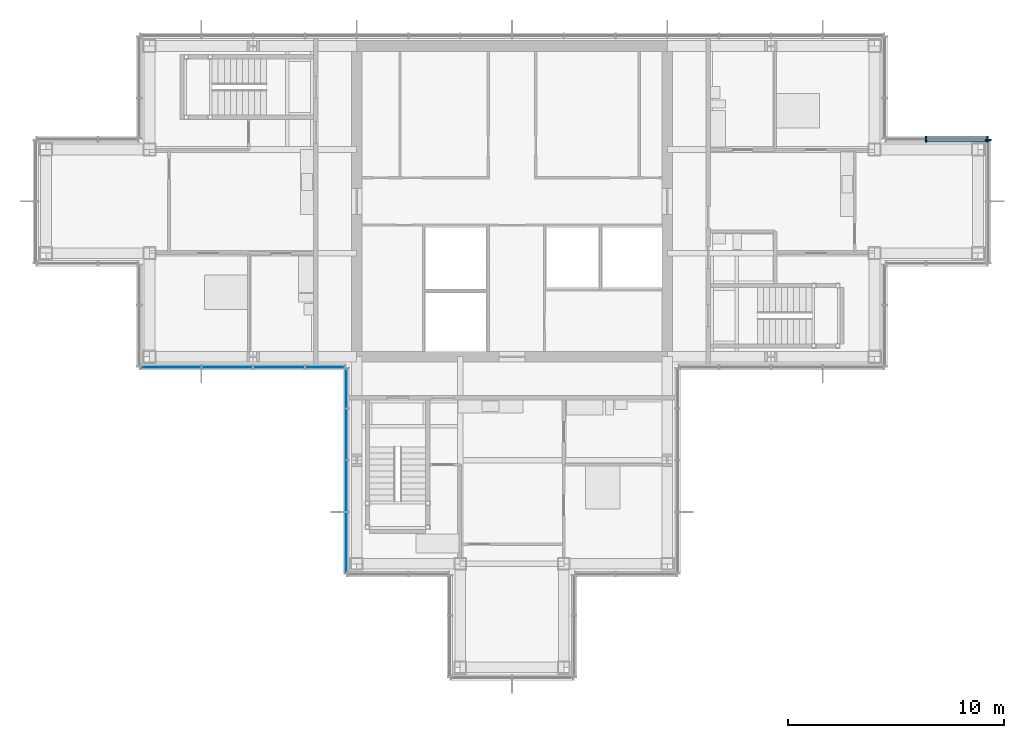
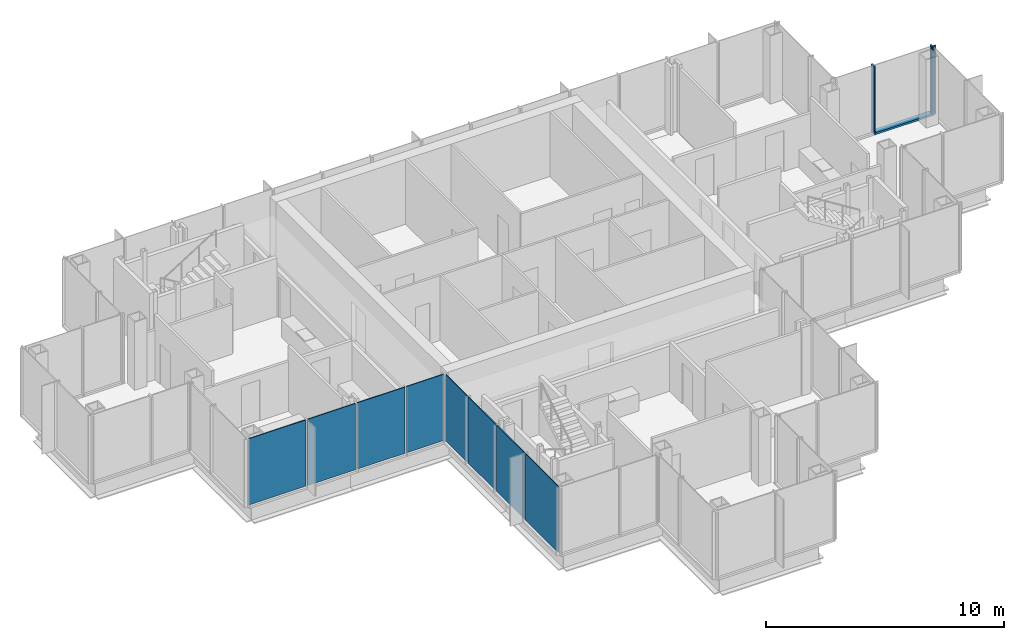
# One storey, part 8 of 15: 8 plates, 4 members, 4 elements without a shape of their own.
"""IFC4 building model written with IfcOpenShell, lengths in metres."""

from ifc_helpers import new_model, si_unit, direction, frame, origin, origin_2d, place, context, subcontext, project, spatial, rectangle, extrude, material, layer, layer_set, material_profile, profile_set, type_object, element, aggregate, save


model = new_model("IFC4")

# Units and contexts
model_context = context("Model", 3, precision=1e-05, world=origin(), true_north=direction((0.0, 1.0)))
body_context = subcontext(model_context, "Body", "Model", "MODEL_VIEW")
ifc_project = project(units=[si_unit("LENGTHUNIT", "METRE"), si_unit("AREAUNIT", "SQUARE_METRE"), si_unit("VOLUMEUNIT", "CUBIC_METRE"), si_unit("PLANEANGLEUNIT", "RADIAN"), si_unit("MASSUNIT", "GRAM", prefix="KILO")], contexts=[model_context])

# Site, building, storey
site_placement = place(None, origin())
site = spatial("IfcSite", under=ifc_project, at=site_placement, CompositionType="ELEMENT")
building_placement = place(site_placement, origin())
building = spatial("IfcBuilding", under=site, at=building_placement, Name="Kvirike Care Tower", CompositionType="ELEMENT")
storey_placement = place(building_placement, frame((0.0, 0.0, 198.0)))
storey = spatial("IfcBuildingStorey", under=building, at=storey_placement, Name="L54", CompositionType="ELEMENT", Elevation=198.0)

# Curtain wall, member
ifc_material_1 = material(Name="Anodised aluminium stick system", Category="aluminium")
curtain_wall_type = type_object("IfcCurtainWallType", Name="CW-D STICK CURTAIN WALL", PredefinedType="NOTDEFINED", material=ifc_material_1)
curtain_wall_1_placement = place(storey_placement, origin())
curtain_wall_1 = element("IfcCurtainWall", 1, at=curtain_wall_1_placement, inside=storey, type_object=curtain_wall_type, Name="Curtain wall L54 face 4", PredefinedType="NOTDEFINED")
ifc_material_2 = material(Name="Bronze anodised aluminium mullion", Category="aluminium")
ifc_material_profile_1 = material_profile(ifc_material_2, rectangle(XDim=0.06494140625, YDim=0.260009765625, at=origin_2d()), Name="CW-D MULLION 65x260")
ifc_profile_set_1 = profile_set([ifc_material_profile_1], Name="Bronze anodised aluminium mullion")
member_type_1 = type_object("IfcMemberType", Name="CW-D MULLION 65x260", PredefinedType="MULLION", material=ifc_profile_set_1)
member_1_placement = place(storey_placement, frame((43.679931640625, 38.847412109375, 0.0), z_axis=(0.0, 0.0, 1.0), x_axis=(0.0, 1.0, 0.0)))
member_1 = element("IfcMember", 2, at=member_1_placement, type_object=member_type_1, Name="CW-D mullion L54 face 4.3", PredefinedType="MULLION", context=body_context, shape_type="SweptSolid", body=[
    extrude(rectangle(XDim=0.06494140625, YDim=0.260009765625, at=origin_2d()), origin(), (0.0, 0.0, 1.0), 3.5),
])
aggregate(curtain_wall_1, [member_1])

# Curtain wall, members
curtain_wall_2_placement = place(storey_placement, origin())
curtain_wall_2 = element("IfcCurtainWall", 3, at=curtain_wall_2_placement, inside=storey, type_object=curtain_wall_type, Name="Curtain wall L54 face 5", PredefinedType="NOTDEFINED")
member_2_placement = place(storey_placement, frame((43.6474609375, 38.8798828125, 0.0), z_axis=(0.0, 0.0, 1.0), x_axis=(-1.0, 0.0, 0.0)))
member_2 = element("IfcMember", 4, at=member_2_placement, type_object=member_type_1, Name="CW-D mullion L54 face 5.1", PredefinedType="MULLION", context=body_context, shape_type="SweptSolid", body=[
    extrude(rectangle(XDim=0.06494140625, YDim=0.260009765625, at=origin_2d()), origin(), (0.0, 0.0, 1.0), 3.5),
])
member_3_placement = place(storey_placement, frame((40.800048828125, 38.8798828125, 0.0), z_axis=(0.0, 0.0, 1.0), x_axis=(-1.0, 0.0, 0.0)))
member_3 = element("IfcMember", 5, at=member_3_placement, type_object=member_type_1, Name="CW-D mullion L54 face 5.2", PredefinedType="MULLION", context=body_context, shape_type="SweptSolid", body=[
    extrude(rectangle(XDim=0.06494140625, YDim=0.260009765625, at=origin_2d()), origin(), (0.0, 0.0, 1.0), 3.5),
])
ifc_material_3 = material(Name="Bronze anodised aluminium transom", Category="aluminium")
ifc_material_profile_2 = material_profile(ifc_material_3, rectangle(XDim=0.260009765625, YDim=0.10009765625, at=origin_2d()), Name="CW-D TRANSOM 260x100")
ifc_profile_set_2 = profile_set([ifc_material_profile_2], Name="Bronze anodised aluminium transom")
member_type_2 = type_object("IfcMemberType", Name="CW-D TRANSOM 260x100", PredefinedType="USERDEFINED", material=ifc_profile_set_2)
member_4_placement = place(storey_placement, frame((43.614990234375, 38.8798828125, 0.050048828125), z_axis=(-1.0, 0.0, 0.0), x_axis=(0.0, -1.0, 0.0)))
member_4 = element("IfcMember", 6, at=member_4_placement, type_object=member_type_2, Name="CW-D sill transom L54 face 5.1", ObjectType="TRANSOM", PredefinedType="USERDEFINED", context=body_context, shape_type="SweptSolid", body=[
    extrude(rectangle(XDim=0.260009765625, YDim=0.10009765625, at=origin_2d()), origin(), (0.0, 0.0, 1.0), 2.782470703125),
])
aggregate(curtain_wall_2, [member_2, member_3, member_4])

# Curtain wall, plates
curtain_wall_3_placement = place(storey_placement, origin())
curtain_wall_3 = element("IfcCurtainWall", 7, at=curtain_wall_3_placement, inside=storey, type_object=curtain_wall_type, Name="Curtain wall L54 face 13", PredefinedType="NOTDEFINED")
ifc_material_4 = material(Name="Tinted double glazed unit", Category="glass")
ifc_layer = layer(ifc_material_4, 0.0439453125)
ifc_layer_set = layer_set([ifc_layer], Name="TINTED VISION PANEL 44")
plate_type = type_object("IfcPlateType", Name="TINTED VISION PANEL 44", PredefinedType="CURTAIN_PANEL", material=ifc_layer_set)
plate_1_placement = place(storey_placement, frame((5.7763671875, 28.320068359375, 0.10009765625), z_axis=(0.0, 0.0, 1.0), x_axis=(1.0, 0.0, 0.0)))
plate_1 = element("IfcPlate", 8, at=plate_1_placement, type_object=plate_type, Name="CW-D panel L54 face 13.1", PredefinedType="CURTAIN_PANEL", context=body_context, shape_type="SweptSolid", body=[
    extrude(rectangle(XDim=2.782470703125, YDim=0.0439453125, at=origin_2d()), origin(), (0.0, 0.0, 1.0), 3.39990234375),
])
plate_2_placement = place(storey_placement, frame((8.39990234375, 28.320068359375, 0.10009765625), z_axis=(0.0, 0.0, 1.0), x_axis=(1.0, 0.0, 0.0)))
plate_2 = element("IfcPlate", 9, at=plate_2_placement, type_object=plate_type, Name="CW-D panel L54 face 13.2", PredefinedType="CURTAIN_PANEL", context=body_context, shape_type="SweptSolid", body=[
    extrude(rectangle(XDim=2.3349609375, YDim=0.0439453125, at=origin_2d()), origin(), (0.0, 0.0, 1.0), 3.39990234375),
])
plate_3_placement = place(storey_placement, frame((10.800048828125, 28.320068359375, 0.10009765625), z_axis=(0.0, 0.0, 1.0), x_axis=(1.0, 0.0, 0.0)))
plate_3 = element("IfcPlate", 10, at=plate_3_placement, type_object=plate_type, Name="CW-D panel L54 face 13.3", PredefinedType="CURTAIN_PANEL", context=body_context, shape_type="SweptSolid", body=[
    extrude(rectangle(XDim=2.3349609375, YDim=0.0439453125, at=origin_2d()), origin(), (0.0, 0.0, 1.0), 3.39990234375),
])
plate_4_placement = place(storey_placement, frame((12.94384765625, 28.320068359375, 0.10009765625), z_axis=(0.0, 0.0, 1.0), x_axis=(1.0, 0.0, 0.0)))
plate_4 = element("IfcPlate", 11, at=plate_4_placement, type_object=plate_type, Name="CW-D panel L54 face 13.4", PredefinedType="CURTAIN_PANEL", context=body_context, shape_type="SweptSolid", body=[
    extrude(rectangle(XDim=1.822509765625, YDim=0.0439453125, at=origin_2d()), origin(), (0.0, 0.0, 1.0), 3.39990234375),
])
aggregate(curtain_wall_3, [plate_1, plate_2, plate_3, plate_4])

curtain_wall_4_placement = place(storey_placement, origin())
curtain_wall_4 = element("IfcCurtainWall", 12, at=curtain_wall_4_placement, inside=storey, type_object=curtain_wall_type, Name="Curtain wall L54 face 14", PredefinedType="NOTDEFINED")
plate_5_placement = place(storey_placement, frame((13.919921875, 27.34375, 0.10009765625), z_axis=(0.0, 0.0, 1.0), x_axis=(0.0, -1.0, 0.0)))
plate_5 = element("IfcPlate", 13, at=plate_5_placement, type_object=plate_type, Name="CW-D panel L54 face 14.1", PredefinedType="CURTAIN_PANEL", context=body_context, shape_type="SweptSolid", body=[
    extrude(rectangle(XDim=1.822509765625, YDim=0.0439453125, at=origin_2d()), origin(), (0.0, 0.0, 1.0), 3.39990234375),
])
plate_6_placement = place(storey_placement, frame((13.919921875, 25.199951171875, 0.10009765625), z_axis=(0.0, 0.0, 1.0), x_axis=(0.0, -1.0, 0.0)))
plate_6 = element("IfcPlate", 14, at=plate_6_placement, type_object=plate_type, Name="CW-D panel L54 face 14.2", PredefinedType="CURTAIN_PANEL", context=body_context, shape_type="SweptSolid", body=[
    extrude(rectangle(XDim=2.3349609375, YDim=0.0439453125, at=origin_2d()), origin(), (0.0, 0.0, 1.0), 3.39990234375),
])
plate_7_placement = place(storey_placement, frame((13.919921875, 22.800048828125, 0.10009765625), z_axis=(0.0, 0.0, 1.0), x_axis=(0.0, -1.0, 0.0)))
plate_7 = element("IfcPlate", 15, at=plate_7_placement, type_object=plate_type, Name="CW-D panel L54 face 14.3", PredefinedType="CURTAIN_PANEL", context=body_context, shape_type="SweptSolid", body=[
    extrude(rectangle(XDim=2.3349609375, YDim=0.0439453125, at=origin_2d()), origin(), (0.0, 0.0, 1.0), 3.39990234375),
])
plate_8_placement = place(storey_placement, frame((13.919921875, 20.17626953125, 0.10009765625), z_axis=(0.0, 0.0, 1.0), x_axis=(0.0, -1.0, 0.0)))
plate_8 = element("IfcPlate", 16, at=plate_8_placement, type_object=plate_type, Name="CW-D panel L54 face 14.4", PredefinedType="CURTAIN_PANEL", context=body_context, shape_type="SweptSolid", body=[
    extrude(rectangle(XDim=2.782470703125, YDim=0.0439453125, at=origin_2d()), origin(), (0.0, 0.0, 1.0), 3.39990234375),
])
aggregate(curtain_wall_4, [plate_5, plate_6, plate_7, plate_8])

save(model, "model.ifc")
